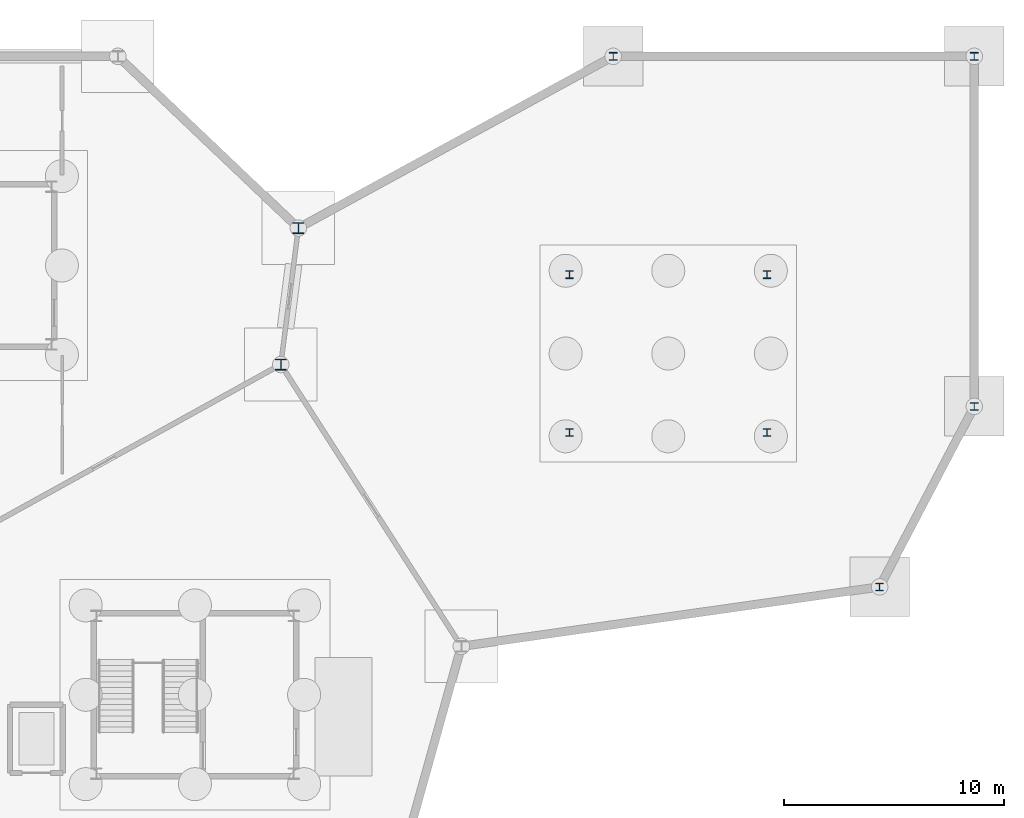
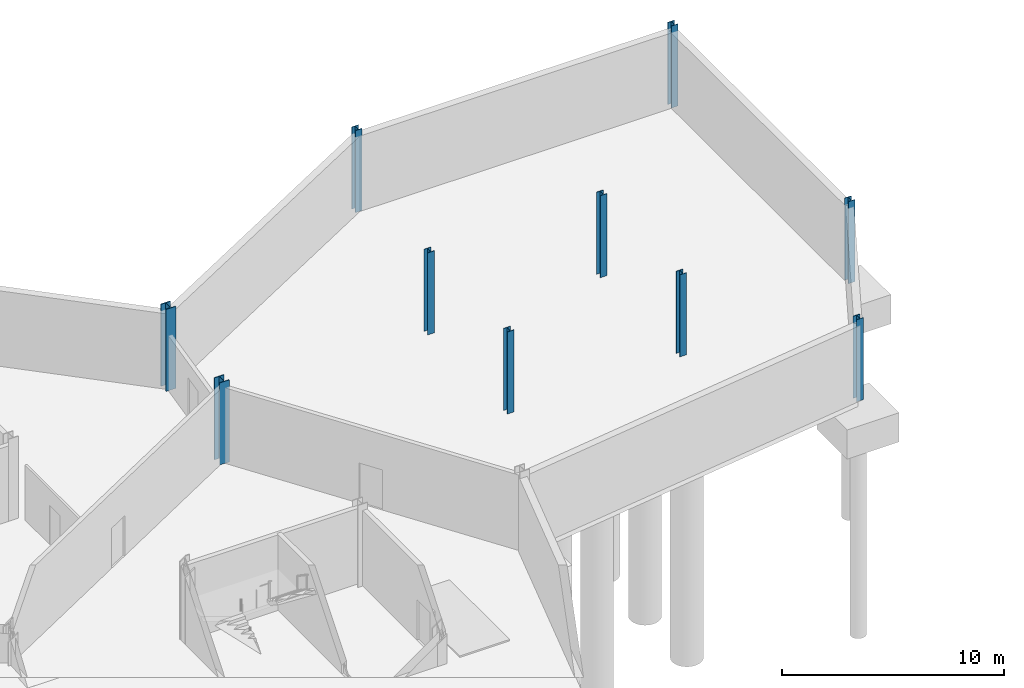
# One storey, part 24 of 37: 10 columns.
"""IFC4 building model written with IfcOpenShell, lengths in metres."""

from ifc_helpers import new_model, si_unit, direction, frame, origin, origin_2d, place, context, subcontext, project, spatial, i_section, extrude, material, material_profile, profile_set, type_object, element, save


model = new_model("IFC4")

# Units and contexts
model_context = context("Model", 3, precision=1e-05, world=origin(), true_north=direction((0.0, 1.0)))
body_context = subcontext(model_context, "Body", "Model", "MODEL_VIEW")
ifc_project = project(units=[si_unit("LENGTHUNIT", "METRE"), si_unit("AREAUNIT", "SQUARE_METRE"), si_unit("VOLUMEUNIT", "CUBIC_METRE"), si_unit("PLANEANGLEUNIT", "RADIAN"), si_unit("MASSUNIT", "GRAM", prefix="KILO")], contexts=[model_context])

# Site, building, storey
site_placement = place(None, origin())
site = spatial("IfcSite", under=ifc_project, at=site_placement, CompositionType="ELEMENT")
building_placement = place(site_placement, origin())
building = spatial("IfcBuilding", under=site, at=building_placement, Name="Tameran Prism Museum", CompositionType="ELEMENT")
storey_placement = place(building_placement, frame((0.0, 0.0, -4.5)))
storey = spatial("IfcBuildingStorey", under=building, at=storey_placement, Name="B1", CompositionType="ELEMENT", Elevation=-4.5)

# Columns
ifc_material_1 = material(Name="Steel Grade 350 (350 MPa)", Category="steel")
ifc_material_profile_1 = material_profile(ifc_material_1, i_section(OverallWidth=0.35009765625, OverallDepth=0.35009765625, WebThickness=0.02001953125, FlangeThickness=0.028076171875, at=origin_2d()))
ifc_profile_set_1 = profile_set([ifc_material_profile_1])
column_type_1 = type_object("IfcColumnType", Name="COL-WC350", PredefinedType="COLUMN", material=ifc_profile_set_1)
for number, where, z_axis, x_axis, name in (
    (1, (150.0, 112.0, 0.0), (0.0, 0.0, 1.0), (1.0, 0.0, 0.0), "Column CV-63 B1"),
    (2, (162.10009765625, 87.89990234375, 0.0), (0.0, 0.0, 1.0), (1.0, 0.0, 0.0), "Column CV-67 B1"),
    (3, (166.39990234375, 96.10009765625, 0.0), (0.0, 0.0, 1.0), (1.0, 0.0, 0.0), "Column CV-71 B1"),
    (4, (166.39990234375, 112.0, 0.0), (0.0, 0.0, 1.0), (1.0, 0.0, 0.0), "Column CV-72 B1"),
    (5, (148.02001953125, 94.919921875, 0.0), (0.0, 0.0, 1.0), (1.0, 0.0, 0.0), "Column CC-11-1 B1"),
    (6, (156.97998046875, 94.919921875, 0.0), (0.0, 0.0, 1.0), (1.0, 0.0, 0.0), "Column CC-11-2 B1"),
    (7, (156.97998046875, 102.080078125, 0.0), (0.0, 0.0, 1.0), (1.0, 0.0, 0.0), "Column CC-11-3 B1"),
    (8, (148.02001953125, 102.080078125, 0.0), (0.0, 0.0, 1.0), (1.0, 0.0, 0.0), "Column CC-11-4 B1"),
):
    element("IfcColumn", number, at=place(storey_placement, frame(where, z_axis=z_axis, x_axis=x_axis)), inside=storey, type_object=column_type_1, Name=name, PredefinedType="COLUMN", context=body_context, shape_type="SweptSolid", body=[
        extrude(i_section(OverallWidth=0.35009765625, OverallDepth=0.35009765625, WebThickness=0.02001953125, FlangeThickness=0.028076171875, at=origin_2d()), origin(), (0.0, 0.0, 1.0), 4.5),
    ])
ifc_material_2 = material(Name="Steel Grade 350 (350 MPa)", Category="steel")
ifc_material_profile_2 = material_profile(ifc_material_2, i_section(OverallWidth=0.5, OverallDepth=0.5, WebThickness=0.02197265625, FlangeThickness=0.035888671875, at=origin_2d()))
ifc_profile_set_2 = profile_set([ifc_material_profile_2])
column_type_2 = type_object("IfcColumnType", Name="COL-WC500", PredefinedType="COLUMN", material=ifc_profile_set_2)
for number, where, z_axis, x_axis, name in (
    (9, (134.89990234375, 98.0, 0.0), (0.0, 0.0, 1.0), (1.0, 0.0, 0.0), "Column CV-54 B1"),
    (10, (135.699951171875, 104.199951171875, 0.0), (0.0, 0.0, 1.0), (1.0, 0.0, 0.0), "Column CV-55 B1"),
):
    element("IfcColumn", number, at=place(storey_placement, frame(where, z_axis=z_axis, x_axis=x_axis)), inside=storey, type_object=column_type_2, Name=name, PredefinedType="COLUMN", context=body_context, shape_type="SweptSolid", body=[
        extrude(i_section(OverallWidth=0.5, OverallDepth=0.5, WebThickness=0.02197265625, FlangeThickness=0.035888671875, at=origin_2d()), origin(), (0.0, 0.0, 1.0), 4.5),
    ])

save(model, "model.ifc")
